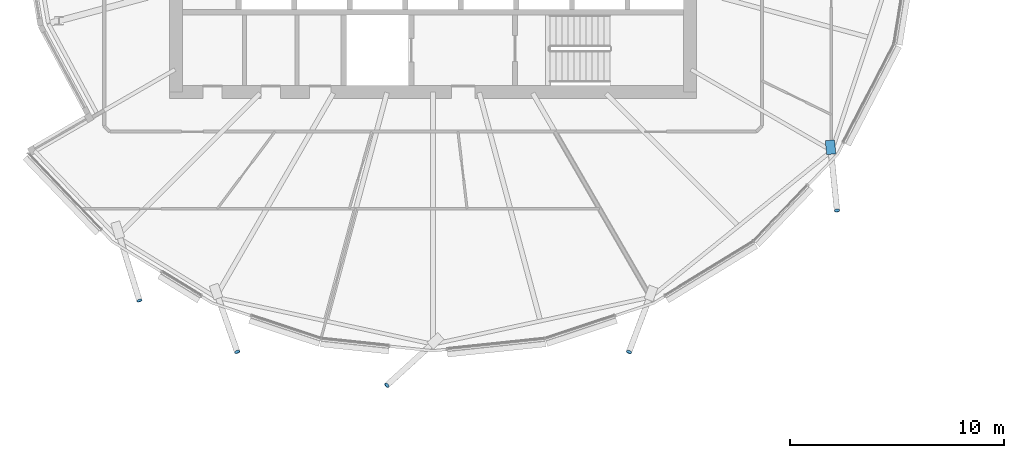
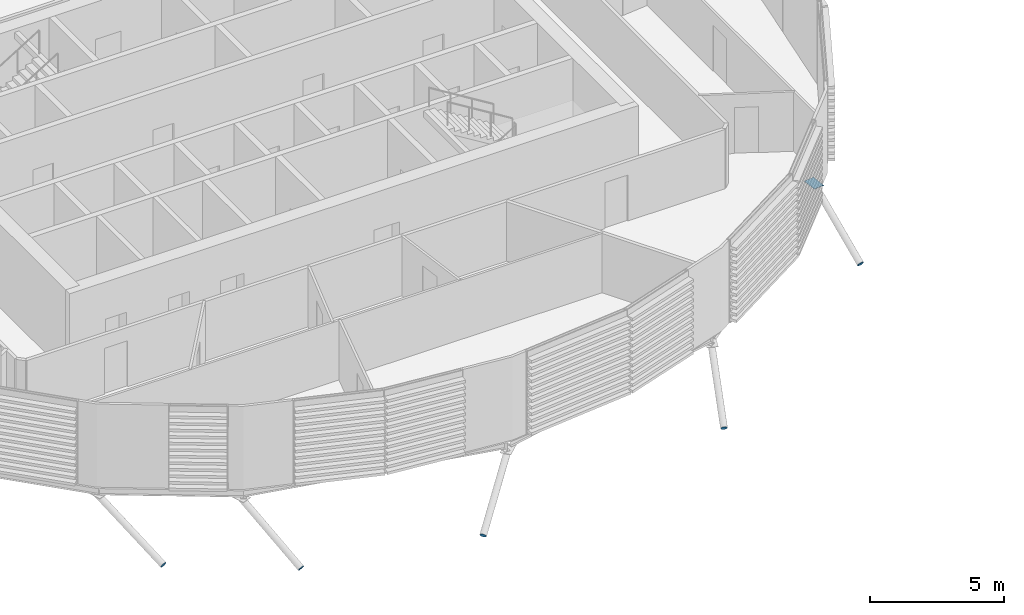
# One storey, part 26 of 37: 6 discrete accessories.
"""IFC4 building model written with IfcOpenShell, lengths in metres."""

from ifc_helpers import new_model, si_unit, direction, frame, origin, origin_2d, place, context, subcontext, project, spatial, polyline, rectangle, circle, outline, extrude, material, material_profile, profile_set, type_object, element, save


model = new_model("IFC4")

# Units and contexts
model_context = context("Model", 3, precision=1e-05, world=origin(), true_north=direction((0.0, 1.0)))
body_context = subcontext(model_context, "Body", "Model", "MODEL_VIEW")
ifc_project = project(units=[si_unit("LENGTHUNIT", "METRE"), si_unit("AREAUNIT", "SQUARE_METRE"), si_unit("VOLUMEUNIT", "CUBIC_METRE"), si_unit("PLANEANGLEUNIT", "RADIAN"), si_unit("MASSUNIT", "GRAM", prefix="KILO")], contexts=[model_context])

# Site, building, storey
site_placement = place(None, origin())
site = spatial("IfcSite", under=ifc_project, at=site_placement, CompositionType="ELEMENT")
building_placement = place(site_placement, origin())
building = spatial("IfcBuilding", under=site, at=building_placement, Name="Rimbun Link Towers", CompositionType="ELEMENT")
storey_placement = place(building_placement, frame((0.0, 0.0, 166.5)))
storey = spatial("IfcBuildingStorey", under=building, at=storey_placement, Name="L40", CompositionType="ELEMENT", Elevation=166.5)

# Discrete accessories
ifc_material_1 = material(Name="Steel S355J2H", Category="steel")
ifc_material_profile_1 = material_profile(ifc_material_1, circle(Radius=0.1240234375, at=origin_2d()), Name="PL D248")
ifc_profile_set_1 = profile_set([ifc_material_profile_1], Name="Steel S355J2H")
discrete_accessory_type_1 = type_object("IfcDiscreteAccessoryType", Name="Link foot sealing plate D248X20", PredefinedType="BRACKET", material=ifc_profile_set_1)
for number, where, z_axis, x_axis, name in (
    (1, (-45.4638671875, -17.7373046875, -2.356201171875), (0.269174831328, -0.856465372407, -0.440467905809), (0.953993716901, 0.29982659674, 0.0), "Link foot sealing plate T1 L40 15"),
    (2, (-40.8955078125, -20.132080078125, -2.6513671875), (0.281199650866, -0.794694665491, -0.537947158179), (0.942722272979, 0.333578650439, 0.0), "Link foot sealing plate T1 L40 16"),
    (3, (-33.9033203125, -21.69384765625, -2.65771484375), (-0.632361994278, -0.571557956367, -0.522914726038), (0.670539669218, -0.741873676582, 0.0), "Link foot sealing plate T1 L40 18"),
    (4, (-22.598388671875, -20.135986328125, -2.648681640625), (-0.292400403797, -0.791917760284, -0.536067406961), (0.938096474139, -0.346374082759, 0.0), "Link foot sealing plate T1 L40 20"),
    (5, (-12.891357421875, -13.532470703125, -2.54833984375), (0.08553137788, -0.830876242258, -0.549844572083), (0.99474329889, 0.102400045474, 0.0), "Link foot sealing plate T1 L40 22"),
):
    element("IfcDiscreteAccessory", number, at=place(storey_placement, frame(where, z_axis=z_axis, x_axis=x_axis)), inside=storey, type_object=discrete_accessory_type_1, Name=name, PredefinedType="BRACKET", context=body_context, shape_type="SweptSolid", body=[
        extrude(circle(Radius=0.1240234375, at=origin_2d()), origin(), (0.0, 0.0, 1.0), 0.02001953125),
    ])
ifc_material_2 = material(Name="Steel S355J2H", Category="steel")
ifc_material_profile_2 = material_profile(ifc_material_2, rectangle(XDim=0.43310546875, YDim=0.43310546875, at=origin_2d()), Name="PL 433x433")
ifc_profile_set_2 = profile_set([ifc_material_profile_2], Name="Steel S355J2H")
discrete_accessory_type_2 = type_object("IfcDiscreteAccessoryType", Name="Link head end plate 433X20", PredefinedType="BRACKET", material=ifc_profile_set_2)
discrete_accessory_placement = place(storey_placement, frame((0.0, 0.0, -0.576416015625)))
element("IfcDiscreteAccessory", 6, at=discrete_accessory_placement, inside=storey, type_object=discrete_accessory_type_2, Name="Link head end plate T1 L40 22", PredefinedType="BRACKET", context=body_context, shape_type="SweptSolid", body=[
    extrude(outline(polyline([(-13.438720703125, -10.280517578125), (-13.372802734375, -10.93017578125), (-12.94189453125, -10.886474609375), (-13.0078125, -10.23681640625), (-13.438720703125, -10.280517578125)])), origin(), (0.0, 0.0, 1.0), 0.02001953125),
])

save(model, "model.ifc")
